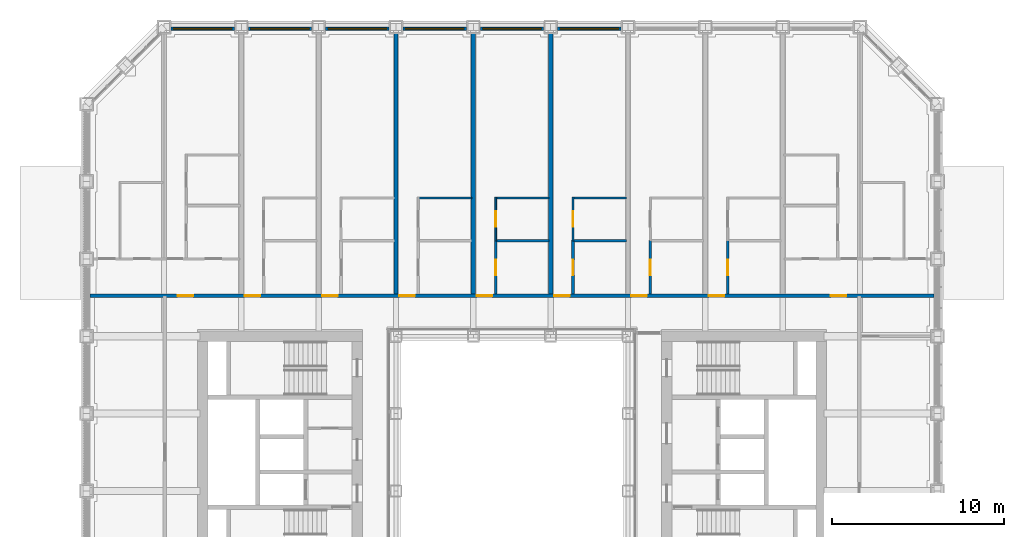
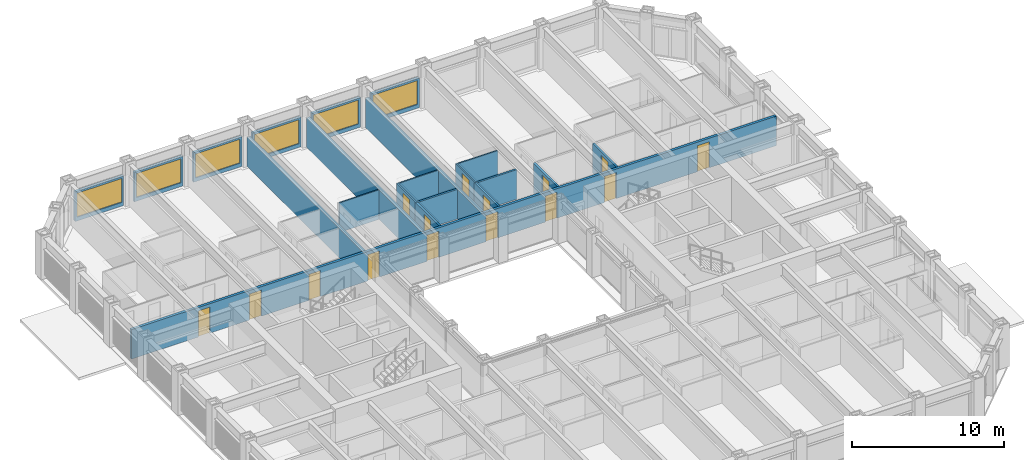
# One storey, part 17 of 24: 21 walls, 15 doors, 6 windows, 21 openings.
"""IFC4 building model written with IfcOpenShell, lengths in metres."""

from ifc_helpers import new_model, si_unit, direction, frame, frame_2d, origin, place, context, subcontext, project, spatial, rectangle, extrude, material, layer, layer_set, type_object, element, fill, save


model = new_model("IFC4")

# Units and contexts
model_context = context("Model", 3, precision=1e-05, world=origin(), true_north=direction((0.0, 1.0)))
body_context = subcontext(model_context, "Body", "Model", "MODEL_VIEW")
ifc_project = project(units=[si_unit("LENGTHUNIT", "METRE"), si_unit("AREAUNIT", "SQUARE_METRE"), si_unit("VOLUMEUNIT", "CUBIC_METRE"), si_unit("PLANEANGLEUNIT", "RADIAN"), si_unit("MASSUNIT", "GRAM", prefix="KILO")], contexts=[model_context])

# Site, building, storey
site_placement = place(None, origin())
site = spatial("IfcSite", under=ifc_project, at=site_placement, CompositionType="ELEMENT")
building_placement = place(site_placement, origin())
building = spatial("IfcBuilding", under=site, at=building_placement, Name="Msasa Ring Tower", CompositionType="ELEMENT")
storey_placement = place(building_placement, frame((0.0, 0.0, 26.5)))
storey = spatial("IfcBuildingStorey", under=building, at=storey_placement, Name="L05", CompositionType="ELEMENT", Elevation=26.5)

# Wall, opening, window
ifc_material_1 = material(Name="Terracotta rainscreen on blockwork", Category="masonry")
ifc_layer_1 = layer(ifc_material_1, 0.199951171875)
ifc_layer_set_1 = layer_set([ifc_layer_1], Name="FW1 TERRACOTTA-LINED INFILL BAY WALL 200")
wall_type_1 = type_object("IfcWallType", Name="FW1 TERRACOTTA-LINED INFILL BAY WALL 200", PredefinedType="SOLIDWALL", material=ifc_layer_set_1)
wall_1_placement = place(storey_placement, frame((-19.844970703125, 24.64990234375, 0.0), z_axis=(0.0, 0.0, 1.0), x_axis=(1.0, 0.0, 0.0)))
wall_1 = element("IfcWall", 1, at=wall_1_placement, inside=storey, type_object=wall_type_1, Name="Infill bay wall N L05 22", PredefinedType="SOLIDWALL", context=body_context, shape_type="SweptSolid", body=[
    extrude(rectangle(XDim=3.68994140625, YDim=0.199951171875, at=frame_2d((1.844970703125, 0.0))), origin(), (0.0, 0.0, 1.0), 2.37890625),
])
opening_1_placement = place(wall_1_placement, frame((0.14501953125, 0.0, 0.300048828125)))
opening_1 = element("IfcOpeningElement", 2, at=opening_1_placement, cuts=wall_1, Name="Opening WN1", PredefinedType="OPENING", context=body_context, shape_type="SweptSolid", body=[
    extrude(rectangle(XDim=3.39990234375, YDim=1.928955078125, at=frame_2d((1.699951171875, 0.96435546875))), frame((0.0, 0.10986328125, 0.0), z_axis=(0.0, -1.0, 0.0), x_axis=(1.0, 0.0, 0.0)), (0.0, 0.0, 1.0), 0.219970703125),
])
ifc_material_2 = material(Name="Aluminium frame with clear glass", Category="aluminium")
window_type = type_object("IfcWindowType", Name="WN1 RESIDENCE WINDOW 3400x1929", PartitioningType="SINGLE_PANEL", PredefinedType="WINDOW", material=ifc_material_2)
window_1_placement = place(opening_1_placement, origin())
window_1 = element("IfcWindow", 3, at=window_1_placement, inside=storey, type_object=window_type, Name="Window N L05 22", OverallHeight=1.928955078125, OverallWidth=3.39990234375, PartitioningType="SINGLE_PANEL", PredefinedType="WINDOW", context=body_context, shape_type="SweptSolid", body=[
    extrude(rectangle(XDim=3.39990234375, YDim=1.928955078125, at=frame_2d((1.699951171875, 0.96435546875))), frame((0.0, 0.030029296875, 0.0), z_axis=(0.0, -1.0, 0.0), x_axis=(1.0, 0.0, 0.0)), (0.0, 0.0, 1.0), 0.06005859375),
])
fill(opening_1, window_1)

wall_2_placement = place(storey_placement, frame((-15.344970703125, 24.64990234375, 0.0), z_axis=(0.0, 0.0, 1.0), x_axis=(1.0, 0.0, 0.0)))
wall_2 = element("IfcWall", 4, at=wall_2_placement, inside=storey, type_object=wall_type_1, Name="Infill bay wall N L05 23", PredefinedType="SOLIDWALL", context=body_context, shape_type="SweptSolid", body=[
    extrude(rectangle(XDim=3.68994140625, YDim=0.199951171875, at=frame_2d((1.844970703125, 0.0))), origin(), (0.0, 0.0, 1.0), 2.37890625),
])
opening_2_placement = place(wall_2_placement, frame((0.14501953125, 0.0, 0.300048828125)))
opening_2 = element("IfcOpeningElement", 5, at=opening_2_placement, cuts=wall_2, Name="Opening WN1", PredefinedType="OPENING", context=body_context, shape_type="SweptSolid", body=[
    extrude(rectangle(XDim=3.39990234375, YDim=1.928955078125, at=frame_2d((1.699951171875, 0.96435546875))), frame((0.0, 0.10986328125, 0.0), z_axis=(0.0, -1.0, 0.0), x_axis=(1.0, 0.0, 0.0)), (0.0, 0.0, 1.0), 0.219970703125),
])
window_2_placement = place(opening_2_placement, origin())
window_2 = element("IfcWindow", 6, at=window_2_placement, inside=storey, type_object=window_type, Name="Window N L05 23", OverallHeight=1.928955078125, OverallWidth=3.39990234375, PartitioningType="SINGLE_PANEL", PredefinedType="WINDOW", context=body_context, shape_type="SweptSolid", body=[
    extrude(rectangle(XDim=3.39990234375, YDim=1.928955078125, at=frame_2d((1.699951171875, 0.96435546875))), frame((0.0, 0.030029296875, 0.0), z_axis=(0.0, -1.0, 0.0), x_axis=(1.0, 0.0, 0.0)), (0.0, 0.0, 1.0), 0.06005859375),
])
fill(opening_2, window_2)

wall_3_placement = place(storey_placement, frame((-10.844970703125, 24.64990234375, 0.0), z_axis=(0.0, 0.0, 1.0), x_axis=(1.0, 0.0, 0.0)))
wall_3 = element("IfcWall", 7, at=wall_3_placement, inside=storey, type_object=wall_type_1, Name="Infill bay wall N L05 24", PredefinedType="SOLIDWALL", context=body_context, shape_type="SweptSolid", body=[
    extrude(rectangle(XDim=3.68994140625, YDim=0.199951171875, at=frame_2d((1.844970703125, 0.0))), origin(), (0.0, 0.0, 1.0), 2.37890625),
])
opening_3_placement = place(wall_3_placement, frame((0.14501953125, 0.0, 0.300048828125)))
opening_3 = element("IfcOpeningElement", 8, at=opening_3_placement, cuts=wall_3, Name="Opening WN1", PredefinedType="OPENING", context=body_context, shape_type="SweptSolid", body=[
    extrude(rectangle(XDim=3.39990234375, YDim=1.928955078125, at=frame_2d((1.699951171875, 0.96435546875))), frame((0.0, 0.10986328125, 0.0), z_axis=(0.0, -1.0, 0.0), x_axis=(1.0, 0.0, 0.0)), (0.0, 0.0, 1.0), 0.219970703125),
])
window_3_placement = place(opening_3_placement, origin())
window_3 = element("IfcWindow", 9, at=window_3_placement, inside=storey, type_object=window_type, Name="Window N L05 24", OverallHeight=1.928955078125, OverallWidth=3.39990234375, PartitioningType="SINGLE_PANEL", PredefinedType="WINDOW", context=body_context, shape_type="SweptSolid", body=[
    extrude(rectangle(XDim=3.39990234375, YDim=1.928955078125, at=frame_2d((1.699951171875, 0.96435546875))), frame((0.0, 0.030029296875, 0.0), z_axis=(0.0, -1.0, 0.0), x_axis=(1.0, 0.0, 0.0)), (0.0, 0.0, 1.0), 0.06005859375),
])
fill(opening_3, window_3)

wall_4_placement = place(storey_placement, frame((-6.344970703125, 24.64990234375, 0.0), z_axis=(0.0, 0.0, 1.0), x_axis=(1.0, 0.0, 0.0)))
wall_4 = element("IfcWall", 10, at=wall_4_placement, inside=storey, type_object=wall_type_1, Name="Infill bay wall N L05 25", PredefinedType="SOLIDWALL", context=body_context, shape_type="SweptSolid", body=[
    extrude(rectangle(XDim=3.68994140625, YDim=0.199951171875, at=frame_2d((1.844970703125, 0.0))), origin(), (0.0, 0.0, 1.0), 2.37890625),
])
opening_4_placement = place(wall_4_placement, frame((0.14501953125, 0.0, 0.300048828125)))
opening_4 = element("IfcOpeningElement", 11, at=opening_4_placement, cuts=wall_4, Name="Opening WN1", PredefinedType="OPENING", context=body_context, shape_type="SweptSolid", body=[
    extrude(rectangle(XDim=3.39990234375, YDim=1.928955078125, at=frame_2d((1.699951171875, 0.96435546875))), frame((0.0, 0.10986328125, 0.0), z_axis=(0.0, -1.0, 0.0), x_axis=(1.0, 0.0, 0.0)), (0.0, 0.0, 1.0), 0.219970703125),
])
window_4_placement = place(opening_4_placement, origin())
window_4 = element("IfcWindow", 12, at=window_4_placement, inside=storey, type_object=window_type, Name="Window N L05 25", OverallHeight=1.928955078125, OverallWidth=3.39990234375, PartitioningType="SINGLE_PANEL", PredefinedType="WINDOW", context=body_context, shape_type="SweptSolid", body=[
    extrude(rectangle(XDim=3.39990234375, YDim=1.928955078125, at=frame_2d((1.699951171875, 0.96435546875))), frame((0.0, 0.030029296875, 0.0), z_axis=(0.0, -1.0, 0.0), x_axis=(1.0, 0.0, 0.0)), (0.0, 0.0, 1.0), 0.06005859375),
])
fill(opening_4, window_4)

wall_5_placement = place(storey_placement, frame((-1.844970703125, 24.64990234375, 0.0), z_axis=(0.0, 0.0, 1.0), x_axis=(1.0, 0.0, 0.0)))
wall_5 = element("IfcWall", 13, at=wall_5_placement, inside=storey, type_object=wall_type_1, Name="Infill bay wall N L05 26", PredefinedType="SOLIDWALL", context=body_context, shape_type="SweptSolid", body=[
    extrude(rectangle(XDim=3.68994140625, YDim=0.199951171875, at=frame_2d((1.844970703125, 0.0))), origin(), (0.0, 0.0, 1.0), 2.37890625),
])
opening_5_placement = place(wall_5_placement, frame((0.14501953125, 0.0, 0.300048828125)))
opening_5 = element("IfcOpeningElement", 14, at=opening_5_placement, cuts=wall_5, Name="Opening WN1", PredefinedType="OPENING", context=body_context, shape_type="SweptSolid", body=[
    extrude(rectangle(XDim=3.39990234375, YDim=1.928955078125, at=frame_2d((1.699951171875, 0.96435546875))), frame((0.0, 0.10986328125, 0.0), z_axis=(0.0, -1.0, 0.0), x_axis=(1.0, 0.0, 0.0)), (0.0, 0.0, 1.0), 0.219970703125),
])
window_5_placement = place(opening_5_placement, origin())
window_5 = element("IfcWindow", 15, at=window_5_placement, inside=storey, type_object=window_type, Name="Window N L05 26", OverallHeight=1.928955078125, OverallWidth=3.39990234375, PartitioningType="SINGLE_PANEL", PredefinedType="WINDOW", context=body_context, shape_type="SweptSolid", body=[
    extrude(rectangle(XDim=3.39990234375, YDim=1.928955078125, at=frame_2d((1.699951171875, 0.96435546875))), frame((0.0, 0.030029296875, 0.0), z_axis=(0.0, -1.0, 0.0), x_axis=(1.0, 0.0, 0.0)), (0.0, 0.0, 1.0), 0.06005859375),
])
fill(opening_5, window_5)

wall_6_placement = place(storey_placement, frame((2.655029296875, 24.64990234375, 0.0), z_axis=(0.0, 0.0, 1.0), x_axis=(1.0, 0.0, 0.0)))
wall_6 = element("IfcWall", 16, at=wall_6_placement, inside=storey, type_object=wall_type_1, Name="Infill bay wall N L05 27", PredefinedType="SOLIDWALL", context=body_context, shape_type="SweptSolid", body=[
    extrude(rectangle(XDim=3.68994140625, YDim=0.199951171875, at=frame_2d((1.844970703125, 0.0))), origin(), (0.0, 0.0, 1.0), 2.37890625),
])
opening_6_placement = place(wall_6_placement, frame((0.14501953125, 0.0, 0.300048828125)))
opening_6 = element("IfcOpeningElement", 17, at=opening_6_placement, cuts=wall_6, Name="Opening WN1", PredefinedType="OPENING", context=body_context, shape_type="SweptSolid", body=[
    extrude(rectangle(XDim=3.39990234375, YDim=1.928955078125, at=frame_2d((1.699951171875, 0.96435546875))), frame((0.0, 0.10986328125, 0.0), z_axis=(0.0, -1.0, 0.0), x_axis=(1.0, 0.0, 0.0)), (0.0, 0.0, 1.0), 0.219970703125),
])
window_6_placement = place(opening_6_placement, origin())
window_6 = element("IfcWindow", 18, at=window_6_placement, inside=storey, type_object=window_type, Name="Window N L05 27", OverallHeight=1.928955078125, OverallWidth=3.39990234375, PartitioningType="SINGLE_PANEL", PredefinedType="WINDOW", context=body_context, shape_type="SweptSolid", body=[
    extrude(rectangle(XDim=3.39990234375, YDim=1.928955078125, at=frame_2d((1.699951171875, 0.96435546875))), frame((0.0, 0.030029296875, 0.0), z_axis=(0.0, -1.0, 0.0), x_axis=(1.0, 0.0, 0.0)), (0.0, 0.0, 1.0), 0.06005859375),
])
fill(opening_6, window_6)

# Wall, openings, doors
ifc_material_3 = material(Name="Concrete blockwork", Category="masonry")
ifc_layer_2 = layer(ifc_material_3, 0.199951171875)
ifc_layer_set_2 = layer_set([ifc_layer_2], Name="PT1 CORRIDOR WALL 200")
wall_type_2 = type_object("IfcWallType", Name="PT1 CORRIDOR WALL 200", PredefinedType="PARTITIONING", material=ifc_layer_set_2)
wall_7_placement = place(storey_placement, frame((-24.550048828125, 9.10009765625, 0.0), z_axis=(0.0, 0.0, 1.0), x_axis=(1.0, 0.0, 0.0)))
wall_7 = element("IfcWall", 19, at=wall_7_placement, inside=storey, type_object=wall_type_2, Name="Corridor wall L05-CORRN0", PredefinedType="PARTITIONING", context=body_context, shape_type="SweptSolid", body=[
    extrude(rectangle(XDim=49.10009765625, YDim=0.199951171875, at=frame_2d((24.550048828125, 0.0))), origin(), (0.0, 0.0, 1.0), 2.373291015625),
])
opening_7_placement = place(wall_7_placement, frame((5.10009765625, 0.0, 0.0)))
opening_7 = element("IfcOpeningElement", 20, at=opening_7_placement, cuts=wall_7, Name="Opening RA-027", PredefinedType="OPENING", context=body_context, shape_type="SweptSolid", body=[
    extrude(rectangle(XDim=0.89990234375, YDim=2.10009765625, at=frame_2d((0.449951171875, 1.050048828125))), frame((0.0, 0.10986328125, 0.0), z_axis=(0.0, -1.0, 0.0), x_axis=(1.0, 0.0, 0.0)), (0.0, 0.0, 1.0), 0.219970703125),
])
opening_8_placement = place(wall_7_placement, frame((9.0, 0.0, 0.0)))
opening_8 = element("IfcOpeningElement", 21, at=opening_8_placement, cuts=wall_7, Name="Opening RA-028", PredefinedType="OPENING", context=body_context, shape_type="SweptSolid", body=[
    extrude(rectangle(XDim=0.89990234375, YDim=2.10009765625, at=frame_2d((0.449951171875, 1.050048828125))), frame((0.0, 0.10986328125, 0.0), z_axis=(0.0, -1.0, 0.0), x_axis=(1.0, 0.0, 0.0)), (0.0, 0.0, 1.0), 0.219970703125),
])
opening_9_placement = place(wall_7_placement, frame((13.5, 0.0, 0.0)))
opening_9 = element("IfcOpeningElement", 22, at=opening_9_placement, cuts=wall_7, Name="Opening RA-029", PredefinedType="OPENING", context=body_context, shape_type="SweptSolid", body=[
    extrude(rectangle(XDim=0.89990234375, YDim=2.10009765625, at=frame_2d((0.449951171875, 1.050048828125))), frame((0.0, 0.10986328125, 0.0), z_axis=(0.0, -1.0, 0.0), x_axis=(1.0, 0.0, 0.0)), (0.0, 0.0, 1.0), 0.219970703125),
])
opening_10_placement = place(wall_7_placement, frame((18.0, 0.0, 0.0)))
opening_10 = element("IfcOpeningElement", 23, at=opening_10_placement, cuts=wall_7, Name="Opening RA-030", PredefinedType="OPENING", context=body_context, shape_type="SweptSolid", body=[
    extrude(rectangle(XDim=0.89990234375, YDim=2.10009765625, at=frame_2d((0.449951171875, 1.050048828125))), frame((0.0, 0.10986328125, 0.0), z_axis=(0.0, -1.0, 0.0), x_axis=(1.0, 0.0, 0.0)), (0.0, 0.0, 1.0), 0.219970703125),
])
opening_11_placement = place(wall_7_placement, frame((22.5, 0.0, 0.0)))
opening_11 = element("IfcOpeningElement", 24, at=opening_11_placement, cuts=wall_7, Name="Opening RA-031", PredefinedType="OPENING", context=body_context, shape_type="SweptSolid", body=[
    extrude(rectangle(XDim=0.89990234375, YDim=2.10009765625, at=frame_2d((0.449951171875, 1.050048828125))), frame((0.0, 0.10986328125, 0.0), z_axis=(0.0, -1.0, 0.0), x_axis=(1.0, 0.0, 0.0)), (0.0, 0.0, 1.0), 0.219970703125),
])
opening_12_placement = place(wall_7_placement, frame((27.0, 0.0, 0.0)))
opening_12 = element("IfcOpeningElement", 25, at=opening_12_placement, cuts=wall_7, Name="Opening RA-032", PredefinedType="OPENING", context=body_context, shape_type="SweptSolid", body=[
    extrude(rectangle(XDim=0.89990234375, YDim=2.10009765625, at=frame_2d((0.449951171875, 1.050048828125))), frame((0.0, 0.10986328125, 0.0), z_axis=(0.0, -1.0, 0.0), x_axis=(1.0, 0.0, 0.0)), (0.0, 0.0, 1.0), 0.219970703125),
])
opening_13_placement = place(wall_7_placement, frame((31.5, 0.0, 0.0)))
opening_13 = element("IfcOpeningElement", 26, at=opening_13_placement, cuts=wall_7, Name="Opening RA-033", PredefinedType="OPENING", context=body_context, shape_type="SweptSolid", body=[
    extrude(rectangle(XDim=0.89990234375, YDim=2.10009765625, at=frame_2d((0.449951171875, 1.050048828125))), frame((0.0, 0.10986328125, 0.0), z_axis=(0.0, -1.0, 0.0), x_axis=(1.0, 0.0, 0.0)), (0.0, 0.0, 1.0), 0.219970703125),
])
opening_14_placement = place(wall_7_placement, frame((36.0, 0.0, 0.0)))
opening_14 = element("IfcOpeningElement", 27, at=opening_14_placement, cuts=wall_7, Name="Opening RA-034", PredefinedType="OPENING", context=body_context, shape_type="SweptSolid", body=[
    extrude(rectangle(XDim=0.89990234375, YDim=2.10009765625, at=frame_2d((0.449951171875, 1.050048828125))), frame((0.0, 0.10986328125, 0.0), z_axis=(0.0, -1.0, 0.0), x_axis=(1.0, 0.0, 0.0)), (0.0, 0.0, 1.0), 0.219970703125),
])
opening_15_placement = place(wall_7_placement, frame((43.10009765625, 0.0, 0.0)))
opening_15 = element("IfcOpeningElement", 28, at=opening_15_placement, cuts=wall_7, Name="Opening RA-035", PredefinedType="OPENING", context=body_context, shape_type="SweptSolid", body=[
    extrude(rectangle(XDim=0.89990234375, YDim=2.10009765625, at=frame_2d((0.449951171875, 1.050048828125))), frame((0.0, 0.10986328125, 0.0), z_axis=(0.0, -1.0, 0.0), x_axis=(1.0, 0.0, 0.0)), (0.0, 0.0, 1.0), 0.219970703125),
])
ifc_material_4 = material(Name="Timber door leaf in a steel frame", Category="steel")
door_type_1 = type_object("IfcDoorType", Name="D2 ENTRANCE DOOR 900x2100", OperationType="SINGLE_SWING_LEFT", PredefinedType="DOOR", material=ifc_material_4)
door_1_placement = place(opening_7_placement, origin())
door_1 = element("IfcDoor", 29, at=door_1_placement, inside=storey, type_object=door_type_1, Name="Door L05-UN00", OperationType="SINGLE_SWING_LEFT", OverallHeight=2.10009765625, OverallWidth=0.89990234375, PredefinedType="DOOR", context=body_context, shape_type="SweptSolid", body=[
    extrude(rectangle(XDim=0.89990234375, YDim=2.10009765625, at=frame_2d((0.449951171875, 1.050048828125))), frame((0.0, 0.02490234375, 0.0), z_axis=(0.0, -1.0, 0.0), x_axis=(1.0, 0.0, 0.0)), (0.0, 0.0, 1.0), 0.050048828125),
])
fill(opening_7, door_1)
door_2_placement = place(opening_8_placement, origin())
door_2 = element("IfcDoor", 30, at=door_2_placement, inside=storey, type_object=door_type_1, Name="Door L05-UN01", OperationType="SINGLE_SWING_LEFT", OverallHeight=2.10009765625, OverallWidth=0.89990234375, PredefinedType="DOOR", context=body_context, shape_type="SweptSolid", body=[
    extrude(rectangle(XDim=0.89990234375, YDim=2.10009765625, at=frame_2d((0.449951171875, 1.050048828125))), frame((0.0, 0.02490234375, 0.0), z_axis=(0.0, -1.0, 0.0), x_axis=(1.0, 0.0, 0.0)), (0.0, 0.0, 1.0), 0.050048828125),
])
fill(opening_8, door_2)
door_3_placement = place(opening_9_placement, origin())
door_3 = element("IfcDoor", 31, at=door_3_placement, inside=storey, type_object=door_type_1, Name="Door L05-UN02", OperationType="SINGLE_SWING_LEFT", OverallHeight=2.10009765625, OverallWidth=0.89990234375, PredefinedType="DOOR", context=body_context, shape_type="SweptSolid", body=[
    extrude(rectangle(XDim=0.89990234375, YDim=2.10009765625, at=frame_2d((0.449951171875, 1.050048828125))), frame((0.0, 0.02490234375, 0.0), z_axis=(0.0, -1.0, 0.0), x_axis=(1.0, 0.0, 0.0)), (0.0, 0.0, 1.0), 0.050048828125),
])
fill(opening_9, door_3)
door_4_placement = place(opening_10_placement, origin())
door_4 = element("IfcDoor", 32, at=door_4_placement, inside=storey, type_object=door_type_1, Name="Door L05-UN03", OperationType="SINGLE_SWING_LEFT", OverallHeight=2.10009765625, OverallWidth=0.89990234375, PredefinedType="DOOR", context=body_context, shape_type="SweptSolid", body=[
    extrude(rectangle(XDim=0.89990234375, YDim=2.10009765625, at=frame_2d((0.449951171875, 1.050048828125))), frame((0.0, 0.02490234375, 0.0), z_axis=(0.0, -1.0, 0.0), x_axis=(1.0, 0.0, 0.0)), (0.0, 0.0, 1.0), 0.050048828125),
])
fill(opening_10, door_4)
door_5_placement = place(opening_11_placement, origin())
door_5 = element("IfcDoor", 33, at=door_5_placement, inside=storey, type_object=door_type_1, Name="Door L05-UN04", OperationType="SINGLE_SWING_LEFT", OverallHeight=2.10009765625, OverallWidth=0.89990234375, PredefinedType="DOOR", context=body_context, shape_type="SweptSolid", body=[
    extrude(rectangle(XDim=0.89990234375, YDim=2.10009765625, at=frame_2d((0.449951171875, 1.050048828125))), frame((0.0, 0.02490234375, 0.0), z_axis=(0.0, -1.0, 0.0), x_axis=(1.0, 0.0, 0.0)), (0.0, 0.0, 1.0), 0.050048828125),
])
fill(opening_11, door_5)
door_6_placement = place(opening_12_placement, origin())
door_6 = element("IfcDoor", 34, at=door_6_placement, inside=storey, type_object=door_type_1, Name="Door L05-UN05", OperationType="SINGLE_SWING_RIGHT", OverallHeight=2.10009765625, OverallWidth=0.89990234375, PredefinedType="DOOR", context=body_context, shape_type="SweptSolid", body=[
    extrude(rectangle(XDim=0.89990234375, YDim=2.10009765625, at=frame_2d((0.449951171875, 1.050048828125))), frame((0.0, 0.02490234375, 0.0), z_axis=(0.0, -1.0, 0.0), x_axis=(1.0, 0.0, 0.0)), (0.0, 0.0, 1.0), 0.050048828125),
])
fill(opening_12, door_6)
door_7_placement = place(opening_13_placement, origin())
door_7 = element("IfcDoor", 35, at=door_7_placement, inside=storey, type_object=door_type_1, Name="Door L05-UN06", OperationType="SINGLE_SWING_RIGHT", OverallHeight=2.10009765625, OverallWidth=0.89990234375, PredefinedType="DOOR", context=body_context, shape_type="SweptSolid", body=[
    extrude(rectangle(XDim=0.89990234375, YDim=2.10009765625, at=frame_2d((0.449951171875, 1.050048828125))), frame((0.0, 0.02490234375, 0.0), z_axis=(0.0, -1.0, 0.0), x_axis=(1.0, 0.0, 0.0)), (0.0, 0.0, 1.0), 0.050048828125),
])
fill(opening_13, door_7)
door_8_placement = place(opening_14_placement, origin())
door_8 = element("IfcDoor", 36, at=door_8_placement, inside=storey, type_object=door_type_1, Name="Door L05-UN07", OperationType="SINGLE_SWING_RIGHT", OverallHeight=2.10009765625, OverallWidth=0.89990234375, PredefinedType="DOOR", context=body_context, shape_type="SweptSolid", body=[
    extrude(rectangle(XDim=0.89990234375, YDim=2.10009765625, at=frame_2d((0.449951171875, 1.050048828125))), frame((0.0, 0.02490234375, 0.0), z_axis=(0.0, -1.0, 0.0), x_axis=(1.0, 0.0, 0.0)), (0.0, 0.0, 1.0), 0.050048828125),
])
fill(opening_14, door_8)
door_9_placement = place(opening_15_placement, origin())
door_9 = element("IfcDoor", 37, at=door_9_placement, inside=storey, type_object=door_type_1, Name="Door L05-UN08", OperationType="SINGLE_SWING_RIGHT", OverallHeight=2.10009765625, OverallWidth=0.89990234375, PredefinedType="DOOR", context=body_context, shape_type="SweptSolid", body=[
    extrude(rectangle(XDim=0.89990234375, YDim=2.10009765625, at=frame_2d((0.449951171875, 1.050048828125))), frame((0.0, 0.02490234375, 0.0), z_axis=(0.0, -1.0, 0.0), x_axis=(1.0, 0.0, 0.0)), (0.0, 0.0, 1.0), 0.050048828125),
])
fill(opening_15, door_9)

# Walls
ifc_material_5 = material(Name="Gypsum board on steel studs", Category="steel")
ifc_layer_3 = layer(ifc_material_5, 0.10009765625)
ifc_layer_set_3 = layer_set([ifc_layer_3], Name="PT2 STUD PARTITION 100")
wall_type_3 = type_object("IfcWallType", Name="PT2 STUD PARTITION 100", PredefinedType="PARTITIONING", material=ifc_layer_set_3)
for number, where, z_axis, x_axis, name in (
    (38, (-5.39990234375, 14.800048828125, 0.0), (0.0, 0.0, 1.0), (1.0, 0.0, 0.0), "Partition L05-UN03KY"),
    (39, (-0.89990234375, 14.800048828125, 0.0), (0.0, 0.0, 1.0), (1.0, 0.0, 0.0), "Partition L05-UN04KY"),
):
    element("IfcWall", number, at=place(storey_placement, frame(where, z_axis=z_axis, x_axis=x_axis)), inside=storey, type_object=wall_type_3, Name=name, PredefinedType="PARTITIONING", context=body_context, shape_type="SweptSolid", body=[
        extrude(rectangle(XDim=3.0498046875, YDim=0.10009765625, at=frame_2d((1.52490234375, 0.0))), origin(), (0.0, 0.0, 1.0), 2.373291015625),
    ])

# Wall, opening, door
wall_8_placement = place(storey_placement, frame((-0.949951171875, 12.300048828125, 0.0), z_axis=(0.0, 0.0, 1.0), x_axis=(0.0, 1.0, 0.0)))
wall_8 = element("IfcWall", 40, at=wall_8_placement, inside=storey, type_object=wall_type_3, Name="Partition L05-UN04KX", PredefinedType="PARTITIONING", context=body_context, shape_type="SweptSolid", body=[
    extrude(rectangle(XDim=2.550048828125, YDim=0.10009765625, at=frame_2d((1.27490234375, 0.0))), origin(), (0.0, 0.0, 1.0), 2.373291015625),
])
opening_16_placement = place(wall_8_placement, frame((0.81005859375, 0.0, 0.0)))
opening_16 = element("IfcOpeningElement", 41, at=opening_16_placement, cuts=wall_8, Name="Opening RA-006", PredefinedType="OPENING", context=body_context, shape_type="SweptSolid", body=[
    extrude(rectangle(XDim=0.89990234375, YDim=2.10009765625, at=frame_2d((0.449951171875, 1.050048828125))), frame((0.0, 0.06005859375, 0.0), z_axis=(0.0, -1.0, 0.0), x_axis=(1.0, 0.0, 0.0)), (0.0, 0.0, 1.0), 0.1201171875),
])
ifc_material_6 = material(Name="Timber door leaf in a steel frame", Category="steel")
door_type_2 = type_object("IfcDoorType", Name="D22 INTERNAL HALL DOOR 900x2100", OperationType="SINGLE_SWING_LEFT", PredefinedType="DOOR", material=ifc_material_6)
door_10_placement = place(opening_16_placement, origin())
door_10 = element("IfcDoor", 42, at=door_10_placement, inside=storey, type_object=door_type_2, Name="Door L05-UN04K", OperationType="SINGLE_SWING_LEFT", OverallHeight=2.10009765625, OverallWidth=0.89990234375, PredefinedType="DOOR", context=body_context, shape_type="SweptSolid", body=[
    extrude(rectangle(XDim=0.89990234375, YDim=2.10009765625, at=frame_2d((0.449951171875, 1.050048828125))), frame((0.0, 0.02490234375, 0.0), z_axis=(0.0, -1.0, 0.0), x_axis=(1.0, 0.0, 0.0)), (0.0, 0.0, 1.0), 0.050048828125),
])
fill(opening_16, door_10)

# Wall
wall_9_placement = place(storey_placement, frame((3.60009765625, 14.800048828125, 0.0), z_axis=(0.0, 0.0, 1.0), x_axis=(1.0, 0.0, 0.0)))
element("IfcWall", 43, at=wall_9_placement, inside=storey, type_object=wall_type_3, Name="Partition L05-UN05KY", PredefinedType="PARTITIONING", context=body_context, shape_type="SweptSolid", body=[
    extrude(rectangle(XDim=3.0498046875, YDim=0.10009765625, at=frame_2d((1.52490234375, 0.0))), origin(), (0.0, 0.0, 1.0), 2.373291015625),
])

# Wall, opening, door
wall_10_placement = place(storey_placement, frame((3.550048828125, 12.300048828125, 0.0), z_axis=(0.0, 0.0, 1.0), x_axis=(0.0, 1.0, 0.0)))
wall_10 = element("IfcWall", 44, at=wall_10_placement, inside=storey, type_object=wall_type_3, Name="Partition L05-UN05KX", PredefinedType="PARTITIONING", context=body_context, shape_type="SweptSolid", body=[
    extrude(rectangle(XDim=2.550048828125, YDim=0.10009765625, at=frame_2d((1.27490234375, 0.0))), origin(), (0.0, 0.0, 1.0), 2.373291015625),
])
opening_17_placement = place(wall_10_placement, frame((0.81005859375, 0.0, 0.0)))
opening_17 = element("IfcOpeningElement", 45, at=opening_17_placement, cuts=wall_10, Name="Opening RA-007", PredefinedType="OPENING", context=body_context, shape_type="SweptSolid", body=[
    extrude(rectangle(XDim=0.89990234375, YDim=2.10009765625, at=frame_2d((0.449951171875, 1.050048828125))), frame((0.0, 0.06005859375, 0.0), z_axis=(0.0, -1.0, 0.0), x_axis=(1.0, 0.0, 0.0)), (0.0, 0.0, 1.0), 0.1201171875),
])
door_11_placement = place(opening_17_placement, origin())
door_11 = element("IfcDoor", 46, at=door_11_placement, inside=storey, type_object=door_type_2, Name="Door L05-UN05K", OperationType="SINGLE_SWING_LEFT", OverallHeight=2.10009765625, OverallWidth=0.89990234375, PredefinedType="DOOR", context=body_context, shape_type="SweptSolid", body=[
    extrude(rectangle(XDim=0.89990234375, YDim=2.10009765625, at=frame_2d((0.449951171875, 1.050048828125))), frame((0.0, 0.02490234375, 0.0), z_axis=(0.0, -1.0, 0.0), x_axis=(1.0, 0.0, 0.0)), (0.0, 0.0, 1.0), 0.050048828125),
])
fill(opening_17, door_11)

# Walls
ifc_material_7 = material(Name="Dense concrete blockwork, plastered both faces", Category="masonry")
ifc_layer_4 = layer(ifc_material_7, 0.25)
ifc_layer_set_4 = layer_set([ifc_layer_4], Name="PT3 APARTMENT SEPARATING WALL 250")
wall_type_4 = type_object("IfcWallType", Name="PT3 APARTMENT SEPARATING WALL 250", PredefinedType="PARTITIONING", material=ifc_layer_set_4)
for number, where, z_axis, x_axis, name in (
    (47, (-6.75, 9.199951171875, 0.0), (0.0, 0.0, 1.0), (0.0, 1.0, 0.0), "Party wall L05-PWN-6.75"),
    (48, (-2.25, 9.199951171875, 0.0), (0.0, 0.0, 1.0), (0.0, 1.0, 0.0), "Party wall L05-PWN-2.25"),
    (49, (2.25, 9.199951171875, 0.0), (0.0, 0.0, 1.0), (0.0, 1.0, 0.0), "Party wall L05-PWN+2.25"),
):
    element("IfcWall", number, at=place(storey_placement, frame(where, z_axis=z_axis, x_axis=x_axis)), inside=storey, type_object=wall_type_4, Name=name, PredefinedType="PARTITIONING", context=body_context, shape_type="SweptSolid", body=[
        extrude(rectangle(XDim=15.150146484375, YDim=0.25, at=frame_2d((7.5751953125, 0.0))), origin(), (0.0, 0.0, 1.0), 2.373291015625),
    ])

# Wall, opening, door
ifc_material_8 = material(Name="Moisture-resistant board on steel studs with a concealed cistern and pipe void, tiled", Category="steel")
ifc_layer_5 = layer(ifc_material_8, 0.14990234375)
ifc_layer_set_5 = layer_set([ifc_layer_5], Name="PT4 BATHROOM WET WALL 150")
wall_type_5 = type_object("IfcWallType", Name="PT4 BATHROOM WET WALL 150", PredefinedType="PARTITIONING", material=ifc_layer_set_5)
wall_11_placement = place(storey_placement, frame((-0.949951171875, 9.199951171875, 0.0), z_axis=(0.0, 0.0, 1.0), x_axis=(0.0, 1.0, 0.0)))
wall_11 = element("IfcWall", 50, at=wall_11_placement, inside=storey, type_object=wall_type_5, Name="Partition L05-UN04BX", PredefinedType="PARTITIONING", context=body_context, shape_type="SweptSolid", body=[
    extrude(rectangle(XDim=3.150146484375, YDim=0.14990234375, at=frame_2d((1.5751953125, 0.0))), origin(), (0.0, 0.0, 1.0), 2.373291015625),
])
opening_18_placement = place(wall_11_placement, frame((1.10009765625, 0.0, 0.0)))
opening_18 = element("IfcOpeningElement", 51, at=opening_18_placement, cuts=wall_11, Name="Opening RA-023", PredefinedType="OPENING", context=body_context, shape_type="SweptSolid", body=[
    extrude(rectangle(XDim=0.89990234375, YDim=2.10009765625, at=frame_2d((0.449951171875, 1.050048828125))), frame((0.0, 0.0849609375, 0.0), z_axis=(0.0, -1.0, 0.0), x_axis=(1.0, 0.0, 0.0)), (0.0, 0.0, 1.0), 0.169921875),
])
ifc_material_9 = material(Name="Timber door leaf in a steel frame", Category="steel")
door_type_3 = type_object("IfcDoorType", Name="D3 BATHROOM DOOR 900x2100", OperationType="SINGLE_SWING_LEFT", PredefinedType="DOOR", material=ifc_material_9)
door_12_placement = place(opening_18_placement, origin())
door_12 = element("IfcDoor", 52, at=door_12_placement, inside=storey, type_object=door_type_3, Name="Door L05-UN04B", OperationType="SINGLE_SWING_LEFT", OverallHeight=2.10009765625, OverallWidth=0.89990234375, PredefinedType="DOOR", context=body_context, shape_type="SweptSolid", body=[
    extrude(rectangle(XDim=0.89990234375, YDim=2.10009765625, at=frame_2d((0.449951171875, 1.050048828125))), frame((0.0, 0.02490234375, 0.0), z_axis=(0.0, -1.0, 0.0), x_axis=(1.0, 0.0, 0.0)), (0.0, 0.0, 1.0), 0.050048828125),
])
fill(opening_18, door_12)

# Wall
wall_12_placement = place(storey_placement, frame((-0.89990234375, 12.300048828125, 0.0), z_axis=(0.0, 0.0, 1.0), x_axis=(1.0, 0.0, 0.0)))
element("IfcWall", 53, at=wall_12_placement, inside=storey, type_object=wall_type_5, Name="Partition L05-UN04BY", PredefinedType="PARTITIONING", context=body_context, shape_type="SweptSolid", body=[
    extrude(rectangle(XDim=3.0498046875, YDim=0.14990234375, at=frame_2d((1.52490234375, 0.0))), origin(), (0.0, 0.0, 1.0), 2.373291015625),
])

# Wall, opening, door
wall_13_placement = place(storey_placement, frame((3.550048828125, 9.199951171875, 0.0), z_axis=(0.0, 0.0, 1.0), x_axis=(0.0, 1.0, 0.0)))
wall_13 = element("IfcWall", 54, at=wall_13_placement, inside=storey, type_object=wall_type_5, Name="Partition L05-UN05BX", PredefinedType="PARTITIONING", context=body_context, shape_type="SweptSolid", body=[
    extrude(rectangle(XDim=3.150146484375, YDim=0.14990234375, at=frame_2d((1.5751953125, 0.0))), origin(), (0.0, 0.0, 1.0), 2.373291015625),
])
opening_19_placement = place(wall_13_placement, frame((1.10009765625, 0.0, 0.0)))
opening_19 = element("IfcOpeningElement", 55, at=opening_19_placement, cuts=wall_13, Name="Opening RA-024", PredefinedType="OPENING", context=body_context, shape_type="SweptSolid", body=[
    extrude(rectangle(XDim=0.89990234375, YDim=2.10009765625, at=frame_2d((0.449951171875, 1.050048828125))), frame((0.0, 0.0849609375, 0.0), z_axis=(0.0, -1.0, 0.0), x_axis=(1.0, 0.0, 0.0)), (0.0, 0.0, 1.0), 0.169921875),
])
door_13_placement = place(opening_19_placement, origin())
door_13 = element("IfcDoor", 56, at=door_13_placement, inside=storey, type_object=door_type_3, Name="Door L05-UN05B", OperationType="SINGLE_SWING_LEFT", OverallHeight=2.10009765625, OverallWidth=0.89990234375, PredefinedType="DOOR", context=body_context, shape_type="SweptSolid", body=[
    extrude(rectangle(XDim=0.89990234375, YDim=2.10009765625, at=frame_2d((0.449951171875, 1.050048828125))), frame((0.0, 0.02490234375, 0.0), z_axis=(0.0, -1.0, 0.0), x_axis=(1.0, 0.0, 0.0)), (0.0, 0.0, 1.0), 0.050048828125),
])
fill(opening_19, door_13)

# Wall
wall_14_placement = place(storey_placement, frame((3.60009765625, 12.300048828125, 0.0), z_axis=(0.0, 0.0, 1.0), x_axis=(1.0, 0.0, 0.0)))
element("IfcWall", 57, at=wall_14_placement, inside=storey, type_object=wall_type_5, Name="Partition L05-UN05BY", PredefinedType="PARTITIONING", context=body_context, shape_type="SweptSolid", body=[
    extrude(rectangle(XDim=3.0498046875, YDim=0.14990234375, at=frame_2d((1.52490234375, 0.0))), origin(), (0.0, 0.0, 1.0), 2.373291015625),
])

# Wall, opening, door
wall_15_placement = place(storey_placement, frame((8.050048828125, 9.199951171875, 0.0), z_axis=(0.0, 0.0, 1.0), x_axis=(0.0, 1.0, 0.0)))
wall_15 = element("IfcWall", 58, at=wall_15_placement, inside=storey, type_object=wall_type_5, Name="Partition L05-UN06BX", PredefinedType="PARTITIONING", context=body_context, shape_type="SweptSolid", body=[
    extrude(rectangle(XDim=3.150146484375, YDim=0.14990234375, at=frame_2d((1.5751953125, 0.0))), origin(), (0.0, 0.0, 1.0), 2.373291015625),
])
opening_20_placement = place(wall_15_placement, frame((1.10009765625, 0.0, 0.0)))
opening_20 = element("IfcOpeningElement", 59, at=opening_20_placement, cuts=wall_15, Name="Opening RA-025", PredefinedType="OPENING", context=body_context, shape_type="SweptSolid", body=[
    extrude(rectangle(XDim=0.89990234375, YDim=2.10009765625, at=frame_2d((0.449951171875, 1.050048828125))), frame((0.0, 0.0849609375, 0.0), z_axis=(0.0, -1.0, 0.0), x_axis=(1.0, 0.0, 0.0)), (0.0, 0.0, 1.0), 0.169921875),
])
door_14_placement = place(opening_20_placement, origin())
door_14 = element("IfcDoor", 60, at=door_14_placement, inside=storey, type_object=door_type_3, Name="Door L05-UN06B", OperationType="SINGLE_SWING_LEFT", OverallHeight=2.10009765625, OverallWidth=0.89990234375, PredefinedType="DOOR", context=body_context, shape_type="SweptSolid", body=[
    extrude(rectangle(XDim=0.89990234375, YDim=2.10009765625, at=frame_2d((0.449951171875, 1.050048828125))), frame((0.0, 0.02490234375, 0.0), z_axis=(0.0, -1.0, 0.0), x_axis=(1.0, 0.0, 0.0)), (0.0, 0.0, 1.0), 0.050048828125),
])
fill(opening_20, door_14)

wall_16_placement = place(storey_placement, frame((12.550048828125, 9.199951171875, 0.0), z_axis=(0.0, 0.0, 1.0), x_axis=(0.0, 1.0, 0.0)))
wall_16 = element("IfcWall", 61, at=wall_16_placement, inside=storey, type_object=wall_type_5, Name="Partition L05-UN07BX", PredefinedType="PARTITIONING", context=body_context, shape_type="SweptSolid", body=[
    extrude(rectangle(XDim=3.150146484375, YDim=0.14990234375, at=frame_2d((1.5751953125, 0.0))), origin(), (0.0, 0.0, 1.0), 2.373291015625),
])
opening_21_placement = place(wall_16_placement, frame((1.10009765625, 0.0, 0.0)))
opening_21 = element("IfcOpeningElement", 62, at=opening_21_placement, cuts=wall_16, Name="Opening RA-026", PredefinedType="OPENING", context=body_context, shape_type="SweptSolid", body=[
    extrude(rectangle(XDim=0.89990234375, YDim=2.10009765625, at=frame_2d((0.449951171875, 1.050048828125))), frame((0.0, 0.0849609375, 0.0), z_axis=(0.0, -1.0, 0.0), x_axis=(1.0, 0.0, 0.0)), (0.0, 0.0, 1.0), 0.169921875),
])
door_15_placement = place(opening_21_placement, origin())
door_15 = element("IfcDoor", 63, at=door_15_placement, inside=storey, type_object=door_type_3, Name="Door L05-UN07B", OperationType="SINGLE_SWING_LEFT", OverallHeight=2.10009765625, OverallWidth=0.89990234375, PredefinedType="DOOR", context=body_context, shape_type="SweptSolid", body=[
    extrude(rectangle(XDim=0.89990234375, YDim=2.10009765625, at=frame_2d((0.449951171875, 1.050048828125))), frame((0.0, 0.02490234375, 0.0), z_axis=(0.0, -1.0, 0.0), x_axis=(1.0, 0.0, 0.0)), (0.0, 0.0, 1.0), 0.050048828125),
])
fill(opening_21, door_15)

save(model, "model.ifc")
